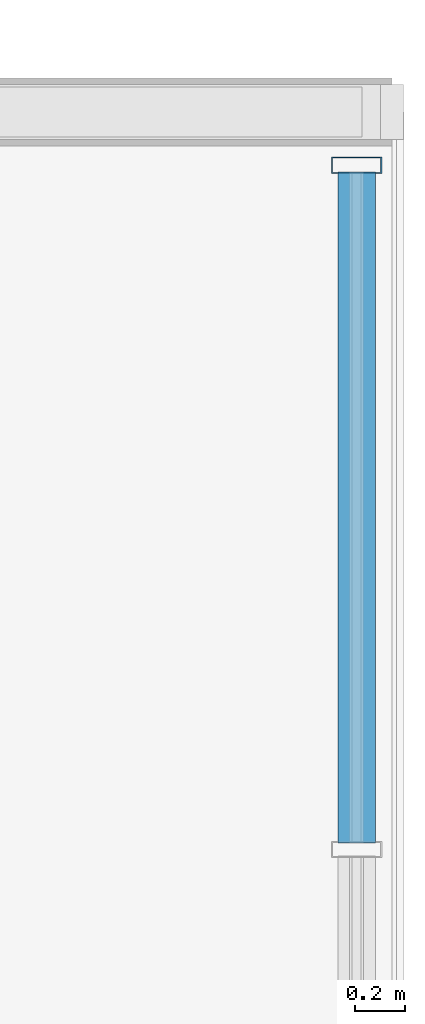
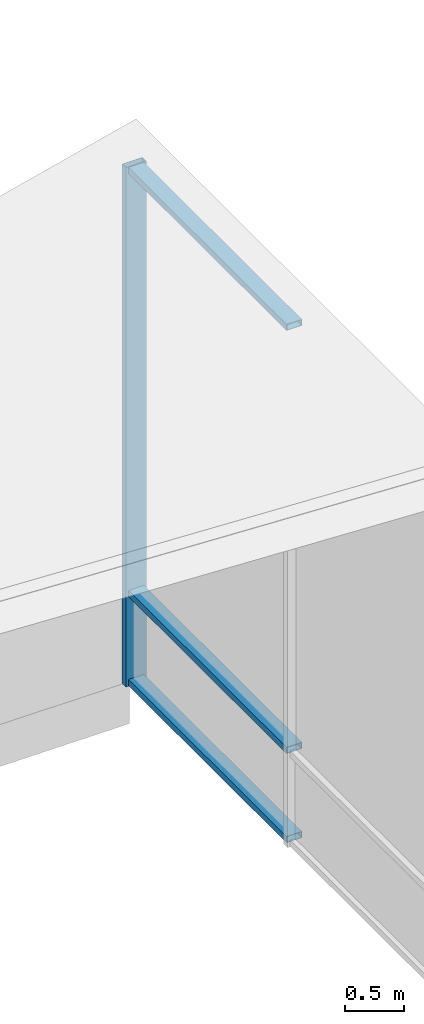
# One storey, part 29 of 57: 4 members, 1 element without a shape of its own.
"""IFC4 building model written with IfcOpenShell, lengths in metres."""

from ifc_helpers import new_model, si_unit, direction, frame, origin, origin_2d, place, context, subcontext, project, spatial, hollow_rectangle, extrude, material, material_profile, profile_set, type_object, element, aggregate, save


model = new_model("IFC4")

# Units and contexts
model_context = context("Model", 3, precision=1e-05, world=origin(), true_north=direction((0.0, 1.0)))
body_context = subcontext(model_context, "Body", "Model", "MODEL_VIEW")
ifc_project = project(units=[si_unit("LENGTHUNIT", "METRE"), si_unit("AREAUNIT", "SQUARE_METRE"), si_unit("VOLUMEUNIT", "CUBIC_METRE"), si_unit("PLANEANGLEUNIT", "RADIAN"), si_unit("MASSUNIT", "GRAM", prefix="KILO")], contexts=[model_context])

# Site, building, storey
site_placement = place(None, origin())
site = spatial("IfcSite", under=ifc_project, at=site_placement, CompositionType="ELEMENT")
building_placement = place(site_placement, origin())
building = spatial("IfcBuilding", under=site, at=building_placement, Name="Hawrajan Terrace Health Centre", CompositionType="ELEMENT")
storey_placement = place(building_placement, frame((0.0, 0.0, 13.199951171875)))
storey = spatial("IfcBuildingStorey", under=building, at=storey_placement, Name="L03", CompositionType="ELEMENT", Elevation=13.199951171875)

# Curtain wall, members
ifc_material_1 = material(Name="Anodized bronze aluminium and low-E solar glazing", Category="aluminium")
curtain_wall_type = type_object("IfcCurtainWallType", Name="CW_Pavilion_SeriesE1", PredefinedType="USERDEFINED", material=ifc_material_1)
curtain_wall_placement = place(storey_placement, origin())
curtain_wall = element("IfcCurtainWall", 1, at=curtain_wall_placement, inside=storey, type_object=curtain_wall_type, Name="Curtain wall CW-L03-V6E-187", ObjectType="UNITISED CURTAIN WALL", PredefinedType="USERDEFINED")
ifc_material_2 = material(Name="Anodized bronze aluminium 6063-T6", Category="aluminium")
ifc_material_profile_1 = material_profile(ifc_material_2, hollow_rectangle(XDim=0.06494140625, YDim=0.199951171875, WallThickness=0.00439453125, at=origin_2d()), Name="CW MUL 65x200")
ifc_profile_set_1 = profile_set([ifc_material_profile_1], Name="Anodized bronze aluminium 6063-T6")
member_type_1 = type_object("IfcMemberType", Name="CWMullion_65x200", PredefinedType="MULLION", material=ifc_profile_set_1)
member_1_placement = place(storey_placement, frame((165.260009765625, 26.987548828125, -0.155029296875), z_axis=(0.0, 0.0, 1.0), x_axis=(0.0, 1.0, 0.0)))
member_1 = element("IfcMember", 2, at=member_1_placement, type_object=member_type_1, Name="Mullion CW-L03-V6E-187-M4", PredefinedType="MULLION", context=body_context, shape_type="SweptSolid", body=[
    extrude(hollow_rectangle(XDim=0.06494140625, YDim=0.199951171875, WallThickness=0.00439453125, at=origin_2d()), origin(), (0.0, 0.0, 1.0), 5.345458984375),
])
ifc_material_profile_2 = material_profile(ifc_material_2, hollow_rectangle(XDim=0.06494140625, YDim=0.14990234375, WallThickness=0.00390625, at=origin_2d()), Name="CW TRN 65x150")
ifc_profile_set_2 = profile_set([ifc_material_profile_2], Name="Anodized bronze aluminium 6063-T6")
member_type_2 = type_object("IfcMemberType", Name="CWTransom_65x150", PredefinedType="USERDEFINED", material=ifc_profile_set_2)
member_2_placement = place(storey_placement, frame((165.260009765625, 24.2890625, -0.117431640625), z_axis=(0.0, 1.0, 0.0), x_axis=(0.0, 0.0, 1.0)))
member_2 = element("IfcMember", 3, at=member_2_placement, type_object=member_type_2, Name="Transom CW-L03-V6E-187-T3-1", ObjectType="TRANSOM", PredefinedType="USERDEFINED", context=body_context, shape_type="SweptSolid", body=[
    extrude(hollow_rectangle(XDim=0.06494140625, YDim=0.14990234375, WallThickness=0.00390625, at=origin_2d()), origin(), (0.0, 0.0, 1.0), 2.671875),
])
member_3_placement = place(storey_placement, frame((165.260009765625, 24.2890625, 0.800048828125), z_axis=(0.0, 1.0, 0.0), x_axis=(0.0, 0.0, 1.0)))
member_3 = element("IfcMember", 4, at=member_3_placement, type_object=member_type_2, Name="Transom CW-L03-V6E-187-T3-2", ObjectType="TRANSOM", PredefinedType="USERDEFINED", context=body_context, shape_type="SweptSolid", body=[
    extrude(hollow_rectangle(XDim=0.06494140625, YDim=0.14990234375, WallThickness=0.00390625, at=origin_2d()), origin(), (0.0, 0.0, 1.0), 2.671875),
])
member_4_placement = place(storey_placement, frame((165.260009765625, 24.2890625, 5.153076171875), z_axis=(0.0, 1.0, 0.0), x_axis=(0.0, 0.0, 1.0)))
member_4 = element("IfcMember", 5, at=member_4_placement, type_object=member_type_2, Name="Transom CW-L03-V6E-187-T3-3", ObjectType="TRANSOM", PredefinedType="USERDEFINED", context=body_context, shape_type="SweptSolid", body=[
    extrude(hollow_rectangle(XDim=0.06494140625, YDim=0.14990234375, WallThickness=0.00390625, at=origin_2d()), origin(), (0.0, 0.0, 1.0), 2.671875),
])
aggregate(curtain_wall, [member_1, member_2, member_3, member_4])

save(model, "model.ifc")
